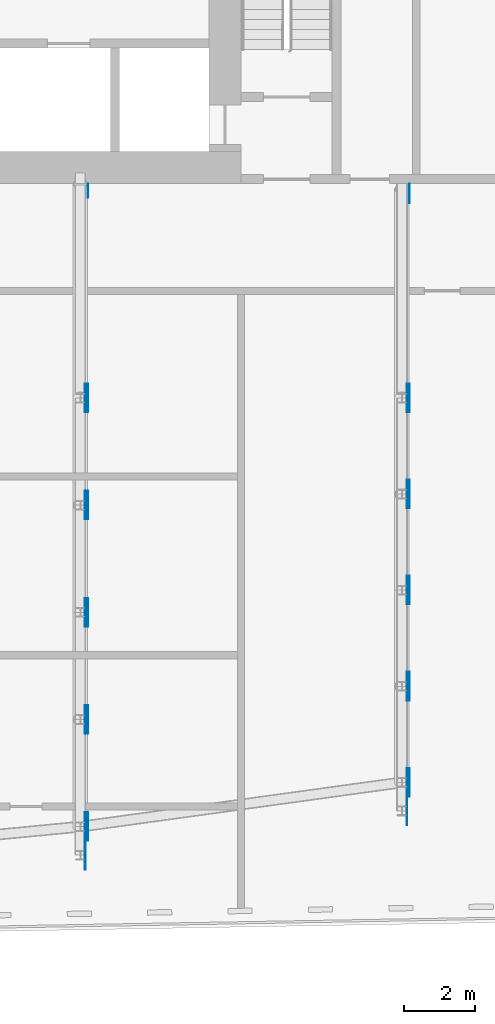
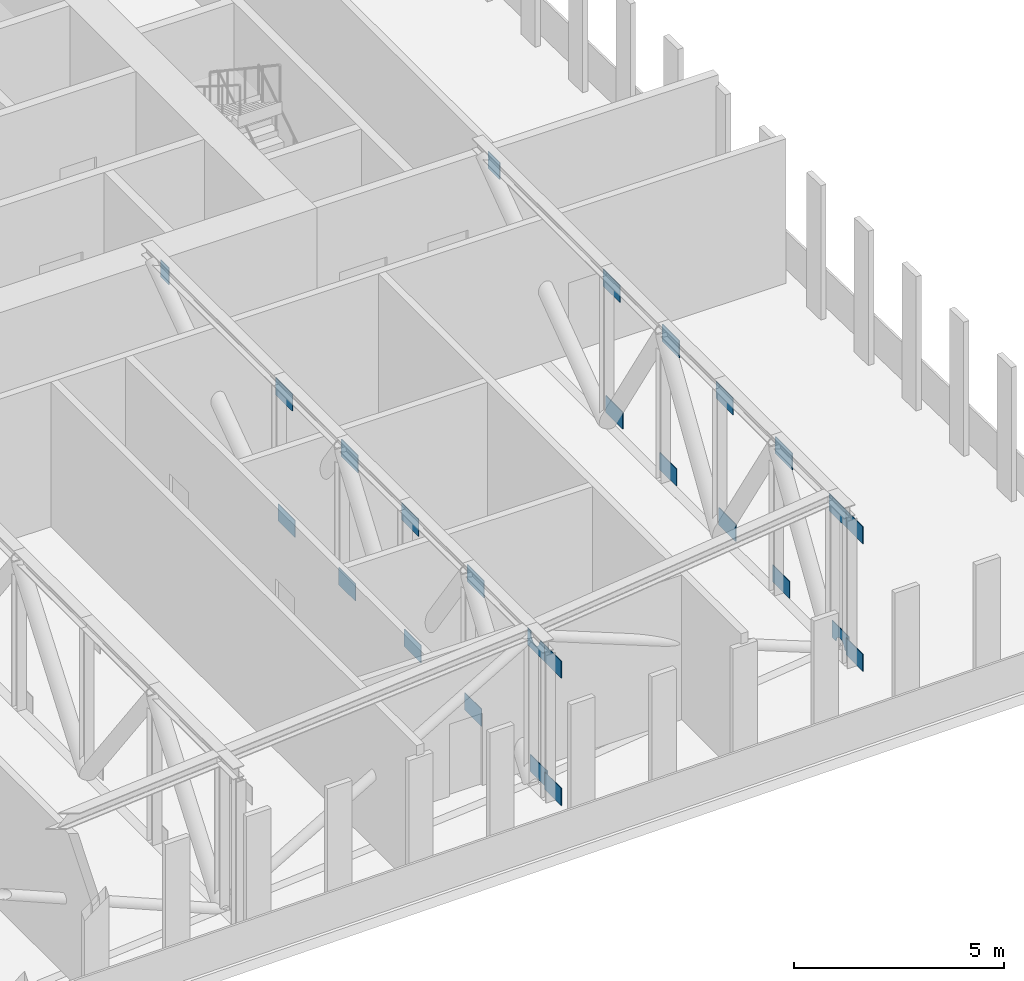
# One storey, part 20 of 26: 26 discrete accessories.
"""IFC4 building model written with IfcOpenShell, lengths in metres."""

from ifc_helpers import new_model, si_unit, direction, frame, origin, place, context, subcontext, project, spatial, polyline, outline, extrude, material, layer, layer_set, type_object, element, save


model = new_model("IFC4")

# Units and contexts
model_context = context("Model", 3, precision=1e-05, world=origin(), true_north=direction((0.0, 1.0)))
body_context = subcontext(model_context, "Body", "Model", "MODEL_VIEW")
ifc_project = project(units=[si_unit("LENGTHUNIT", "METRE"), si_unit("AREAUNIT", "SQUARE_METRE"), si_unit("VOLUMEUNIT", "CUBIC_METRE"), si_unit("PLANEANGLEUNIT", "RADIAN"), si_unit("MASSUNIT", "GRAM", prefix="KILO")], contexts=[model_context])

# Site, building, storey
site_placement = place(None, origin())
site = spatial("IfcSite", under=ifc_project, at=site_placement, CompositionType="ELEMENT")
building_placement = place(site_placement, origin())
building = spatial("IfcBuilding", under=site, at=building_placement, Name="Kajstack Hotel Tower", CompositionType="ELEMENT")
storey_placement = place(building_placement, frame((0.0, 0.0, 257.300048828125)))
storey = spatial("IfcBuildingStorey", under=building, at=storey_placement, Name="L64", CompositionType="ELEMENT", Elevation=257.300048828125)

# Discrete accessories
ifc_material = material(Name="Steel S355J2", Category="steel")
ifc_layer = layer(ifc_material, 0.02001953125)
ifc_layer_set = layer_set([ifc_layer], Name="GUSSET PLATE")
discrete_accessory_type = type_object("IfcDiscreteAccessoryType", Name="GUSSET PLATE", PredefinedType="BRACKET", material=ifc_layer_set)
for number, where, z_axis, x_axis, name in (
    (1, (27.1298828125, -17.296142578125, 0.0), (1.0, 0.0, 0.0), (0.0, 1.0, 0.0), "Gusset plate L64-749"),
    (2, (27.1298828125, -17.296142578125, 3.699951171875), (1.0, 0.0, 0.0), (0.0, 1.0, 0.0), "Gusset plate L64-750"),
    (3, (27.203125, -16.49609375, 0.0), (1.0, 0.0, 0.0), (0.0, 1.0, 0.0), "Gusset plate L64-751"),
):
    element("IfcDiscreteAccessory", number, at=place(storey_placement, frame(where, z_axis=z_axis, x_axis=x_axis)), inside=storey, type_object=discrete_accessory_type, Name=name, PredefinedType="BRACKET", context=body_context, shape_type="SweptSolid", body=[
        extrude(outline(polyline([(-0.39990234375, 0.0), (0.39990234375, 0.0), (0.39990234375, 0.5), (-0.39990234375, 0.5), (-0.39990234375, 0.0)])), origin(), (0.0, 0.0, 1.0), 0.02001953125),
    ])
discrete_accessory_1_placement = place(storey_placement, frame((27.1298828125, -16.49609375, 3.699951171875), z_axis=(1.0, 0.0, 0.0), x_axis=(0.0, 1.0, 0.0)))
element("IfcDiscreteAccessory", 4, at=discrete_accessory_1_placement, inside=storey, type_object=discrete_accessory_type, Name="Gusset plate L64-752", PredefinedType="BRACKET", context=body_context, shape_type="SweptSolid", body=[
    extrude(outline(polyline([(0.39990234375, 0.5), (0.234619140625, 0.5), (0.24853515625, 0.448486328125), (0.251220703125, 0.4287109375), (0.250732421875, 0.388916015625), (0.24755859375, 0.369140625), (0.2353515625, 0.331298828125), (0.21630859375, 0.29638671875), (0.190673828125, 0.265869140625), (0.159423828125, 0.240966796875), (0.142333984375, 0.23095703125), (0.124267578125, 0.22265625), (0.0859375, 0.211669921875), (0.04638671875, 0.208251953125), (0.0068359375, 0.212646484375), (-0.03125, 0.224609375), (-0.049072265625, 0.2333984375), (-0.08203125, 0.255859375), (-0.109619140625, 0.284423828125), (-0.121337890625, 0.300537109375), (-0.1396484375, 0.3359375), (-0.16357421875, 0.4150390625), (-0.176513671875, 0.43212890625), (-0.1865234375, 0.449462890625), (-0.195068359375, 0.46728515625), (-0.205078125, 0.5), (-0.39990234375, 0.5), (-0.39990234375, 0.0), (0.39990234375, 0.0), (0.39990234375, 0.5)])), origin(), (0.0, 0.0, 1.0), 0.02001953125),
])
for number, where, z_axis, x_axis, name in (
    (5, (27.1298828125, -13.4970703125, 0.0), (1.0, 0.0, 0.0), (0.0, 1.0, 0.0), "Gusset plate L64-753"),
    (6, (27.203125, -13.4970703125, 3.699951171875), (1.0, 0.0, 0.0), (0.0, 1.0, 0.0), "Gusset plate L64-754"),
    (7, (27.203125, -10.498046875, 0.0), (1.0, 0.0, 0.0), (0.0, 1.0, 0.0), "Gusset plate L64-755"),
    (8, (27.1298828125, -10.498046875, 3.699951171875), (1.0, 0.0, 0.0), (0.0, 1.0, 0.0), "Gusset plate L64-756"),
    (9, (27.1298828125, -7.4990234375, 0.0), (1.0, 0.0, 0.0), (0.0, 1.0, 0.0), "Gusset plate L64-757"),
    (10, (27.203125, -7.4990234375, 3.699951171875), (1.0, 0.0, 0.0), (0.0, 1.0, 0.0), "Gusset plate L64-758"),
    (11, (27.203125, -4.5, 0.0), (1.0, 0.0, 0.0), (0.0, 1.0, 0.0), "Gusset plate L64-759"),
    (12, (27.1298828125, -4.5, 3.699951171875), (1.0, 0.0, 0.0), (0.0, 1.0, 0.0), "Gusset plate L64-760"),
):
    element("IfcDiscreteAccessory", number, at=place(storey_placement, frame(where, z_axis=z_axis, x_axis=x_axis)), inside=storey, type_object=discrete_accessory_type, Name=name, PredefinedType="BRACKET", context=body_context, shape_type="SweptSolid", body=[
        extrude(outline(polyline([(-0.39990234375, 0.0), (0.39990234375, 0.0), (0.39990234375, 0.5), (-0.39990234375, 0.5), (-0.39990234375, 0.0)])), origin(), (0.0, 0.0, 1.0), 0.02001953125),
    ])
discrete_accessory_2_placement = place(storey_placement, frame((27.203125, 1.5, 3.699951171875), z_axis=(1.0, 0.0, 0.0), x_axis=(0.0, 1.0, 0.0)))
element("IfcDiscreteAccessory", 13, at=discrete_accessory_2_placement, inside=storey, type_object=discrete_accessory_type, Name="Gusset plate L64-761", PredefinedType="BRACKET", context=body_context, shape_type="SweptSolid", body=[
    extrude(outline(polyline([(-0.39990234375, 0.0), (-0.0048828125, 0.0), (-0.0048828125, 0.5), (-0.39990234375, 0.5), (-0.39990234375, 0.0)])), origin(), (0.0, 0.0, 1.0), 0.02001953125),
])
for number, where, z_axis, x_axis, name in (
    (14, (36.1298828125, -16.056396484375, 0.0), (1.0, 0.0, 0.0), (0.0, 1.0, 0.0), "Gusset plate L64-762"),
    (15, (36.1298828125, -16.056396484375, 3.699951171875), (1.0, 0.0, 0.0), (0.0, 1.0, 0.0), "Gusset plate L64-763"),
):
    element("IfcDiscreteAccessory", number, at=place(storey_placement, frame(where, z_axis=z_axis, x_axis=x_axis)), inside=storey, type_object=discrete_accessory_type, Name=name, PredefinedType="BRACKET", context=body_context, shape_type="SweptSolid", body=[
        extrude(outline(polyline([(-0.39990234375, 0.0), (0.39990234375, 0.0), (0.39990234375, 0.5), (-0.39990234375, 0.5), (-0.39990234375, 0.0)])), origin(), (0.0, 0.0, 1.0), 0.02001953125),
    ])
discrete_accessory_3_placement = place(storey_placement, frame((36.203125, -15.256591796875, 0.0), z_axis=(1.0, 0.0, 0.0), x_axis=(0.0, 1.0, 0.0)))
element("IfcDiscreteAccessory", 16, at=discrete_accessory_3_placement, inside=storey, type_object=discrete_accessory_type, Name="Gusset plate L64-764", PredefinedType="BRACKET", context=body_context, shape_type="SweptSolid", body=[
    extrude(outline(polyline([(-0.39990234375, 0.0), (-0.203125, 0.0), (-0.201904296875, 0.023193359375), (-0.19873046875, 0.04296875), (-0.186767578125, 0.080810546875), (-0.167724609375, 0.11572265625), (-0.14208984375, 0.14599609375), (-0.11083984375, 0.1708984375), (-0.075439453125, 0.189208984375), (-0.037353515625, 0.200439453125), (0.00244140625, 0.203857421875), (0.0419921875, 0.199462890625), (0.079833984375, 0.187255859375), (0.11474609375, 0.168212890625), (0.145263671875, 0.142578125), (0.169921875, 0.111328125), (0.18017578125, 0.09423828125), (0.19482421875, 0.05712890625), (0.21142578125, 0.0), (0.39990234375, 0.0), (0.39990234375, 0.5), (-0.39990234375, 0.5), (-0.39990234375, 0.0)])), origin(), (0.0, 0.0, 1.0), 0.02001953125),
])
for number, where, z_axis, x_axis, name in (
    (17, (36.1298828125, -15.256591796875, 3.699951171875), (1.0, 0.0, 0.0), (0.0, 1.0, 0.0), "Gusset plate L64-765"),
    (18, (36.1298828125, -12.5673828125, 0.0), (1.0, 0.0, 0.0), (0.0, 1.0, 0.0), "Gusset plate L64-766"),
    (19, (36.203125, -12.5673828125, 3.699951171875), (1.0, 0.0, 0.0), (0.0, 1.0, 0.0), "Gusset plate L64-767"),
    (20, (36.203125, -9.878173828125, 0.0), (1.0, 0.0, 0.0), (0.0, 1.0, 0.0), "Gusset plate L64-768"),
    (21, (36.1298828125, -9.878173828125, 3.699951171875), (1.0, 0.0, 0.0), (0.0, 1.0, 0.0), "Gusset plate L64-769"),
    (22, (36.1298828125, -7.189208984375, 0.0), (1.0, 0.0, 0.0), (0.0, 1.0, 0.0), "Gusset plate L64-770"),
    (23, (36.203125, -7.189208984375, 3.699951171875), (1.0, 0.0, 0.0), (0.0, 1.0, 0.0), "Gusset plate L64-771"),
    (24, (36.203125, -4.5, 0.0), (1.0, 0.0, 0.0), (0.0, 1.0, 0.0), "Gusset plate L64-772"),
    (25, (36.1298828125, -4.5, 3.699951171875), (1.0, 0.0, 0.0), (0.0, 1.0, 0.0), "Gusset plate L64-773"),
):
    element("IfcDiscreteAccessory", number, at=place(storey_placement, frame(where, z_axis=z_axis, x_axis=x_axis)), inside=storey, type_object=discrete_accessory_type, Name=name, PredefinedType="BRACKET", context=body_context, shape_type="SweptSolid", body=[
        extrude(outline(polyline([(-0.39990234375, 0.0), (0.39990234375, 0.0), (0.39990234375, 0.5), (-0.39990234375, 0.5), (-0.39990234375, 0.0)])), origin(), (0.0, 0.0, 1.0), 0.02001953125),
    ])
discrete_accessory_4_placement = place(storey_placement, frame((36.203125, 1.35009765625, 3.699951171875), z_axis=(1.0, 0.0, 0.0), x_axis=(0.0, 1.0, 0.0)))
element("IfcDiscreteAccessory", 26, at=discrete_accessory_4_placement, inside=storey, type_object=discrete_accessory_type, Name="Gusset plate L64-774", PredefinedType="BRACKET", context=body_context, shape_type="SweptSolid", body=[
    extrude(outline(polyline([(-0.39990234375, 0.0), (0.14501953125, 0.0), (0.14501953125, 0.5), (-0.39990234375, 0.5), (-0.39990234375, 0.0)])), origin(), (0.0, 0.0, 1.0), 0.02001953125),
])

save(model, "model.ifc")
